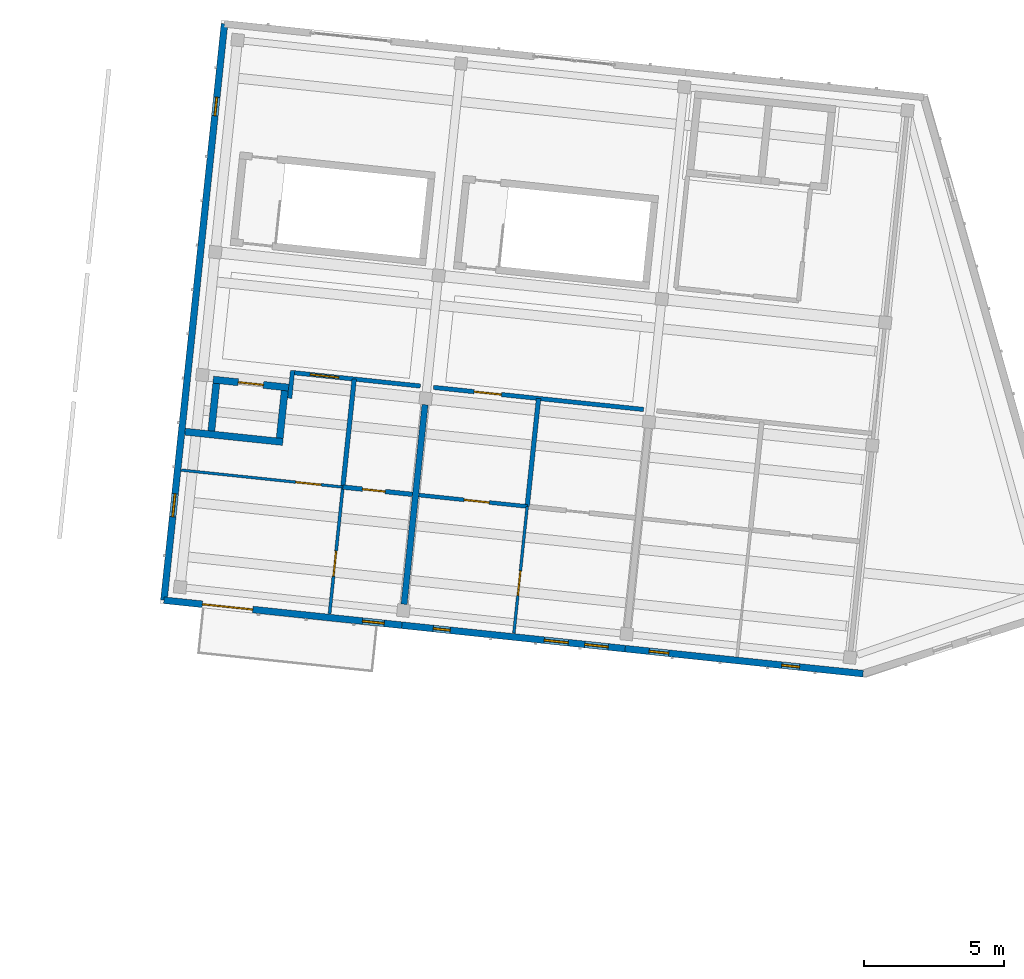
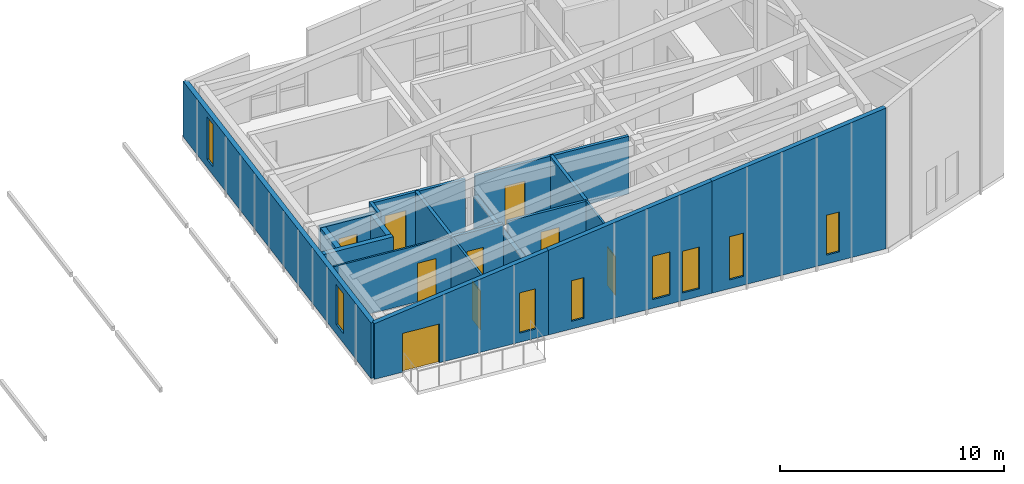
# One storey, part 17 of 31: 19 walls, 9 doors, 8 windows, 17 openings.
"""IFC4 building model written with IfcOpenShell, lengths in metres."""

from ifc_helpers import new_model, si_unit, direction, frame, frame_2d, origin, place, context, subcontext, project, spatial, polyline, rectangle, outline, extrude, material, layer, layer_set, type_object, element, fill, save


model = new_model("IFC4")

# Units and contexts
model_context = context("Model", 3, precision=1e-05, world=origin(), true_north=direction((0.0, 1.0)))
body_context = subcontext(model_context, "Body", "Model", "MODEL_VIEW")
ifc_project = project(units=[si_unit("LENGTHUNIT", "METRE"), si_unit("AREAUNIT", "SQUARE_METRE"), si_unit("VOLUMEUNIT", "CUBIC_METRE"), si_unit("PLANEANGLEUNIT", "RADIAN"), si_unit("MASSUNIT", "GRAM", prefix="KILO")], contexts=[model_context])

# Site, building, storey
site_placement = place(None, origin())
site = spatial("IfcSite", under=ifc_project, at=site_placement, CompositionType="ELEMENT")
building_placement = place(site_placement, origin())
building = spatial("IfcBuilding", under=site, at=building_placement, Name="Kestramere Prow Commons", CompositionType="ELEMENT")
storey_placement = place(building_placement, frame((0.0, 0.0, 37.64990234375)))
storey = spatial("IfcBuildingStorey", under=building, at=storey_placement, Name="L11", CompositionType="ELEMENT", Elevation=37.64990234375)

# Wall, openings, door, window
ifc_material_1 = material(Name="Fluoropolymer Standing-Seam Zinc-Aluminium Cladding", Category="aluminium")
ifc_layer_1 = layer(ifc_material_1, 0.239990234375)
ifc_layer_set_1 = layer_set([ifc_layer_1], Name="Fluoropolymer Standing-Seam Zinc-Aluminium Cladding")
wall_type_1 = type_object("IfcWallType", Name="EW-SEAM-240", PredefinedType="SOLIDWALL", material=ifc_layer_set_1)
wall_1_placement = place(storey_placement, frame((141.769775390625, 90.932861328125, 0.0), z_axis=(0.0, 0.0, 1.0), x_axis=(-0.994521760736, 0.104529744196, 0.0)))
wall_1 = element("IfcWall", 1, at=wall_1_placement, inside=storey, type_object=wall_type_1, Name="Block B L11 South Standing-Seam Wall 4", PredefinedType="SOLIDWALL", context=body_context, shape_type="SweptSolid", body=[
    extrude(outline(polyline([(0.0, 0.0), (8.52490234375, 0.0), (8.52490234375, 3.03759765625), (0.0, 4.619384765625), (0.0, 0.0)])), frame((0.0, 0.1201171875, 0.0), z_axis=(0.0, -1.0, 0.0), x_axis=(1.0, 0.0, 0.0)), (0.0, 0.0, 1.0), 0.239990234375),
])
opening_1_placement = place(wall_1_placement, frame((5.344970703125, 0.0, 0.0)))
opening_1 = element("IfcOpeningElement", 2, at=opening_1_placement, cuts=wall_1, Name="Opening GD-BAL-02", PredefinedType="OPENING", context=body_context, shape_type="SweptSolid", body=[
    extrude(rectangle(XDim=1.800048828125, YDim=2.1201171875, at=frame_2d((0.89990234375, 1.06005859375))), frame((0.0, 0.135009765625, 0.0), z_axis=(0.0, -1.0, 0.0), x_axis=(1.0, 0.0, 0.0)), (0.0, 0.0, 1.0), 0.27001953125),
])
opening_2_placement = place(wall_1_placement, frame((0.6298828125, 0.0, 0.5)))
opening_2 = element("IfcOpeningElement", 3, at=opening_2_placement, cuts=wall_1, Name="Opening WN-11", PredefinedType="OPENING", context=body_context, shape_type="SweptSolid", body=[
    extrude(rectangle(XDim=0.780029296875, YDim=2.199951171875, at=frame_2d((0.39013671875, 1.10009765625))), frame((0.0, 0.135009765625, 0.0), z_axis=(0.0, -1.0, 0.0), x_axis=(1.0, 0.0, 0.0)), (0.0, 0.0, 1.0), 0.27001953125),
])
ifc_material_2 = material(Name="Thermally-Broken Anodised Aluminium Glazed", Category="aluminium")
door_type_1 = type_object("IfcDoorType", Name="GD-BAL-1800", OperationType="SLIDING_TO_LEFT", PredefinedType="DOOR", material=ifc_material_2)
door_1_placement = place(opening_1_placement, origin())
door_1 = element("IfcDoor", 4, at=door_1_placement, inside=storey, type_object=door_type_1, Name="Block B L11 Balcony Door 4", OperationType="SLIDING_TO_LEFT", OverallHeight=2.1201171875, OverallWidth=1.800048828125, PredefinedType="DOOR", context=body_context, shape_type="SweptSolid", body=[
    extrude(rectangle(XDim=1.800048828125, YDim=2.1201171875, at=frame_2d((0.89990234375, 1.06005859375))), frame((0.0, 0.02490234375, 0.0), z_axis=(0.0, -1.0, 0.0), x_axis=(1.0, 0.0, 0.0)), (0.0, 0.0, 1.0), 0.050048828125),
])
fill(opening_1, door_1)
ifc_material_3 = material(Name="Low-E Laminated Double Glazing", Category="glass")
window_type_1 = type_object("IfcWindowType", Name="WN-NAR-780A", PartitioningType="SINGLE_PANEL", PredefinedType="WINDOW", material=ifc_material_3)
window_1_placement = place(opening_2_placement, origin())
window_1 = element("IfcWindow", 5, at=window_1_placement, inside=storey, type_object=window_type_1, Name="WN-B-L11-SR-3", OverallHeight=2.199951171875, OverallWidth=0.780029296875, PartitioningType="SINGLE_PANEL", PredefinedType="WINDOW", context=body_context, shape_type="SweptSolid", body=[
    extrude(rectangle(XDim=0.780029296875, YDim=2.199951171875, at=frame_2d((0.39013671875, 1.10009765625))), frame((0.0, 0.030029296875, 0.0), z_axis=(0.0, -1.0, 0.0), x_axis=(1.0, 0.0, 0.0)), (0.0, 0.0, 1.0), 0.06005859375),
])
fill(opening_2, window_1)

# Wall, openings, windows
wall_2_placement = place(storey_placement, frame((149.72607421875, 90.0966796875, 0.0), z_axis=(0.0, 0.0, 1.0), x_axis=(-0.994522662826, 0.104521161134, 0.0)))
wall_2 = element("IfcWall", 6, at=wall_2_placement, inside=storey, type_object=wall_type_1, Name="Block B L11 South Standing-Seam Wall 5", PredefinedType="SOLIDWALL", context=body_context, shape_type="SweptSolid", body=[
    extrude(outline(polyline([(0.0, 0.0), (8.0, 0.0), (8.0, 4.619384765625), (0.0, 6.10400390625), (0.0, 0.0)])), frame((0.0, 0.1201171875, 0.0), z_axis=(0.0, -1.0, 0.0), x_axis=(1.0, 0.0, 0.0)), (0.0, 0.0, 1.0), 0.239990234375),
])
opening_3_placement = place(wall_2_placement, frame((0.610107421875, 0.0, 0.419921875)))
opening_3 = element("IfcOpeningElement", 7, at=opening_3_placement, cuts=wall_2, Name="Opening WN-14", PredefinedType="OPENING", context=body_context, shape_type="SweptSolid", body=[
    extrude(rectangle(XDim=0.840087890625, YDim=2.280029296875, at=frame_2d((0.419921875, 1.14013671875))), frame((0.0, 0.135009765625, 0.0), z_axis=(0.0, -1.0, 0.0), x_axis=(1.0, 0.0, 0.0)), (0.0, 0.0, 1.0), 0.27001953125),
])
opening_4_placement = place(wall_2_placement, frame((2.0400390625, 0.0, 0.47998046875)))
opening_4 = element("IfcOpeningElement", 8, at=opening_4_placement, cuts=wall_2, Name="Opening WN-15", PredefinedType="OPENING", context=body_context, shape_type="SweptSolid", body=[
    extrude(rectangle(XDim=0.860107421875, YDim=2.360107421875, at=frame_2d((0.43017578125, 1.18017578125))), frame((0.0, 0.135009765625, 0.0), z_axis=(0.0, -1.0, 0.0), x_axis=(1.0, 0.0, 0.0)), (0.0, 0.0, 1.0), 0.27001953125),
])
opening_5_placement = place(wall_2_placement, frame((6.270751953125, 0.0, 0.419921875)))
opening_5 = element("IfcOpeningElement", 9, at=opening_5_placement, cuts=wall_2, Name="Opening WN-02", PredefinedType="OPENING", context=body_context, shape_type="SweptSolid", body=[
    extrude(rectangle(XDim=0.60009765625, YDim=2.219970703125, at=frame_2d((0.300048828125, 1.10986328125))), frame((0.0, 0.135009765625, 0.0), z_axis=(0.0, -1.0, 0.0), x_axis=(1.0, 0.0, 0.0)), (0.0, 0.0, 1.0), 0.27001953125),
])
window_type_2 = type_object("IfcWindowType", Name="WN-NAR-600A", PartitioningType="SINGLE_PANEL", PredefinedType="WINDOW", material=ifc_material_3)
window_2_placement = place(opening_5_placement, origin())
window_2 = element("IfcWindow", 10, at=window_2_placement, inside=storey, type_object=window_type_2, Name="WN-B-L11-S-4-10", OverallHeight=2.219970703125, OverallWidth=0.60009765625, PartitioningType="SINGLE_PANEL", PredefinedType="WINDOW", context=body_context, shape_type="SweptSolid", body=[
    extrude(rectangle(XDim=0.60009765625, YDim=2.219970703125, at=frame_2d((0.300048828125, 1.10986328125))), frame((0.0, 0.030029296875, 0.0), z_axis=(0.0, -1.0, 0.0), x_axis=(1.0, 0.0, 0.0)), (0.0, 0.0, 1.0), 0.06005859375),
])
fill(opening_5, window_2)
window_type_3 = type_object("IfcWindowType", Name="WN-NAR-840A", PartitioningType="DOUBLE_PANEL_VERTICAL", PredefinedType="WINDOW", material=ifc_material_3)
window_3_placement = place(opening_3_placement, origin())
window_3 = element("IfcWindow", 11, at=window_3_placement, inside=storey, type_object=window_type_3, Name="WN-B-L11-S-4-00", OverallHeight=2.280029296875, OverallWidth=0.840087890625, PartitioningType="SINGLE_PANEL", PredefinedType="WINDOW", context=body_context, shape_type="SweptSolid", body=[
    extrude(rectangle(XDim=0.840087890625, YDim=2.280029296875, at=frame_2d((0.419921875, 1.14013671875))), frame((0.0, 0.030029296875, 0.0), z_axis=(0.0, -1.0, 0.0), x_axis=(1.0, 0.0, 0.0)), (0.0, 0.0, 1.0), 0.06005859375),
])
fill(opening_3, window_3)
window_type_4 = type_object("IfcWindowType", Name="WN-NAR-860A", PartitioningType="DOUBLE_PANEL_VERTICAL", PredefinedType="WINDOW", material=ifc_material_3)
window_4_placement = place(opening_4_placement, origin())
window_4 = element("IfcWindow", 12, at=window_4_placement, inside=storey, type_object=window_type_4, Name="WN-B-L11-S-4-01", OverallHeight=2.360107421875, OverallWidth=0.860107421875, PartitioningType="SINGLE_PANEL", PredefinedType="WINDOW", context=body_context, shape_type="SweptSolid", body=[
    extrude(rectangle(XDim=0.860107421875, YDim=2.360107421875, at=frame_2d((0.43017578125, 1.18017578125))), frame((0.0, 0.030029296875, 0.0), z_axis=(0.0, -1.0, 0.0), x_axis=(1.0, 0.0, 0.0)), (0.0, 0.0, 1.0), 0.06005859375),
])
fill(opening_4, window_4)

wall_3_placement = place(storey_placement, frame((158.204345703125, 89.20556640625, 0.0), z_axis=(0.0, 0.0, 1.0), x_axis=(-0.994521760736, 0.104529744196, 0.0)))
wall_3 = element("IfcWall", 13, at=wall_3_placement, inside=storey, type_object=wall_type_1, Name="Block B L11 South Standing-Seam Wall 6", PredefinedType="SOLIDWALL", context=body_context, shape_type="SweptSolid", body=[
    extrude(outline(polyline([(0.0, 0.0), (8.52490234375, 0.0), (8.52490234375, 6.10400390625), (0.0, 7.685791015625), (0.0, 0.0)])), frame((0.0, 0.1201171875, 0.0), z_axis=(0.0, -1.0, 0.0), x_axis=(1.0, 0.0, 0.0)), (0.0, 0.0, 1.0), 0.239990234375),
])
opening_6_placement = place(wall_3_placement, frame((2.278564453125, 0.0, 0.47998046875)))
opening_6 = element("IfcOpeningElement", 14, at=opening_6_placement, cuts=wall_3, Name="Opening WN-04", PredefinedType="OPENING", context=body_context, shape_type="SweptSolid", body=[
    extrude(rectangle(XDim=0.639892578125, YDim=2.179931640625, at=frame_2d((0.31982421875, 1.08984375))), frame((0.0, 0.135009765625, 0.0), z_axis=(0.0, -1.0, 0.0), x_axis=(1.0, 0.0, 0.0)), (0.0, 0.0, 1.0), 0.27001953125),
])
opening_7_placement = place(wall_3_placement, frame((6.96728515625, 0.0, 0.47998046875)))
opening_7 = element("IfcOpeningElement", 15, at=opening_7_placement, cuts=wall_3, Name="Opening WN-07", PredefinedType="OPENING", context=body_context, shape_type="SweptSolid", body=[
    extrude(rectangle(XDim=0.699951171875, YDim=2.360107421875, at=frame_2d((0.35009765625, 1.18017578125))), frame((0.0, 0.135009765625, 0.0), z_axis=(0.0, -1.0, 0.0), x_axis=(1.0, 0.0, 0.0)), (0.0, 0.0, 1.0), 0.27001953125),
])
window_type_5 = type_object("IfcWindowType", Name="WN-NAR-640A", PartitioningType="SINGLE_PANEL", PredefinedType="WINDOW", material=ifc_material_3)
window_5_placement = place(opening_6_placement, origin())
window_5 = element("IfcWindow", 16, at=window_5_placement, inside=storey, type_object=window_type_5, Name="WN-B-L11-S-5-00", OverallHeight=2.179931640625, OverallWidth=0.639892578125, PartitioningType="SINGLE_PANEL", PredefinedType="WINDOW", context=body_context, shape_type="SweptSolid", body=[
    extrude(rectangle(XDim=0.639892578125, YDim=2.179931640625, at=frame_2d((0.31982421875, 1.08984375))), frame((0.0, 0.030029296875, 0.0), z_axis=(0.0, -1.0, 0.0), x_axis=(1.0, 0.0, 0.0)), (0.0, 0.0, 1.0), 0.06005859375),
])
fill(opening_6, window_5)
window_type_6 = type_object("IfcWindowType", Name="WN-NAR-700A", PartitioningType="SINGLE_PANEL", PredefinedType="WINDOW", material=ifc_material_3)
window_6_placement = place(opening_7_placement, origin())
window_6 = element("IfcWindow", 17, at=window_6_placement, inside=storey, type_object=window_type_6, Name="WN-B-L11-S-5-10", OverallHeight=2.360107421875, OverallWidth=0.699951171875, PartitioningType="SINGLE_PANEL", PredefinedType="WINDOW", context=body_context, shape_type="SweptSolid", body=[
    extrude(rectangle(XDim=0.699951171875, YDim=2.360107421875, at=frame_2d((0.35009765625, 1.18017578125))), frame((0.0, 0.030029296875, 0.0), z_axis=(0.0, -1.0, 0.0), x_axis=(1.0, 0.0, 0.0)), (0.0, 0.0, 1.0), 0.06005859375),
])
fill(opening_7, window_6)

wall_4_placement = place(storey_placement, frame((133.29150390625, 91.823974609375, 0.0), z_axis=(0.0, 0.0, 1.0), x_axis=(0.1045253859, 0.994522218808, 0.0)))
wall_4 = element("IfcWall", 18, at=wall_4_placement, inside=storey, type_object=wall_type_1, Name="Block B L11 EAV Facet Wall", PredefinedType="SOLIDWALL", context=body_context, shape_type="SweptSolid", body=[
    extrude(rectangle(XDim=20.64990234375, YDim=0.239990234375, at=frame_2d((10.324951171875, 0.0))), origin(), (0.0, 0.0, 1.0), 3.03759765625),
])
opening_8_placement = place(wall_4_placement, frame((2.989990234375, 0.0, 0.52001953125)))
opening_8 = element("IfcOpeningElement", 19, at=opening_8_placement, cuts=wall_4, Name="Opening WN-13", PredefinedType="OPENING", context=body_context, shape_type="SweptSolid", body=[
    extrude(rectangle(XDim=0.820068359375, YDim=2.179931640625, at=frame_2d((0.41015625, 1.08984375))), frame((0.0, 0.135009765625, 0.0), z_axis=(0.0, -1.0, 0.0), x_axis=(1.0, 0.0, 0.0)), (0.0, 0.0, 1.0), 0.27001953125),
])
opening_9_placement = place(wall_4_placement, frame((17.360107421875, 0.0, 0.449951171875)))
opening_9 = element("IfcOpeningElement", 20, at=opening_9_placement, cuts=wall_4, Name="Opening WN-05", PredefinedType="OPENING", context=body_context, shape_type="SweptSolid", body=[
    extrude(rectangle(XDim=0.659912109375, YDim=2.320068359375, at=frame_2d((0.330078125, 1.16015625))), frame((0.0, 0.135009765625, 0.0), z_axis=(0.0, -1.0, 0.0), x_axis=(1.0, 0.0, 0.0)), (0.0, 0.0, 1.0), 0.27001953125),
])
window_type_7 = type_object("IfcWindowType", Name="WN-NAR-660A", PartitioningType="SINGLE_PANEL", PredefinedType="WINDOW", material=ifc_material_3)
window_7_placement = place(opening_9_placement, origin())
window_7 = element("IfcWindow", 21, at=window_7_placement, inside=storey, type_object=window_type_7, Name="WN-B-L11-EAV-1", OverallHeight=2.320068359375, OverallWidth=0.659912109375, PartitioningType="SINGLE_PANEL", PredefinedType="WINDOW", context=body_context, shape_type="SweptSolid", body=[
    extrude(rectangle(XDim=0.659912109375, YDim=2.320068359375, at=frame_2d((0.330078125, 1.16015625))), frame((0.0, 0.030029296875, 0.0), z_axis=(0.0, -1.0, 0.0), x_axis=(1.0, 0.0, 0.0)), (0.0, 0.0, 1.0), 0.06005859375),
])
fill(opening_9, window_7)
window_type_8 = type_object("IfcWindowType", Name="WN-NAR-820A", PartitioningType="DOUBLE_PANEL_VERTICAL", PredefinedType="WINDOW", material=ifc_material_3)
window_8_placement = place(opening_8_placement, origin())
window_8 = element("IfcWindow", 22, at=window_8_placement, inside=storey, type_object=window_type_8, Name="WN-B-L11-EAV-0", OverallHeight=2.179931640625, OverallWidth=0.820068359375, PartitioningType="SINGLE_PANEL", PredefinedType="WINDOW", context=body_context, shape_type="SweptSolid", body=[
    extrude(rectangle(XDim=0.820068359375, YDim=2.179931640625, at=frame_2d((0.41015625, 1.08984375))), frame((0.0, 0.030029296875, 0.0), z_axis=(0.0, -1.0, 0.0), x_axis=(1.0, 0.0, 0.0)), (0.0, 0.0, 1.0), 0.06005859375),
])
fill(opening_8, window_8)

# Wall
ifc_material_4 = material(Name="Fire-Rated Calcium Silicate Wall")
ifc_layer_2 = layer(ifc_material_4, 0.155029296875)
ifc_layer_set_2 = layer_set([ifc_layer_2], Name="Fire-Rated Calcium Silicate Wall")
wall_type_2 = type_object("IfcWallType", Name="W-FIRE-150", PredefinedType="PARTITIONING", material=ifc_layer_set_2)
wall_5_placement = place(storey_placement, frame((137.773193359375, 99.02001953125, 0.0), z_axis=(0.0, 0.0, 1.0), x_axis=(0.104531505358, 0.994521575627, 0.0)))
element("IfcWall", 23, at=wall_5_placement, inside=storey, type_object=wall_type_2, Name="Interior Partition PW-B-L11-HS-CLOSER", PredefinedType="PARTITIONING", context=body_context, shape_type="SweptSolid", body=[
    extrude(rectangle(XDim=0.994873046875, YDim=0.155029296875, at=frame_2d((0.49755859375, 0.0))), origin(), (0.0, 0.0, 1.0), 3.080078125),
])

# Wall, opening, door
wall_6_placement = place(storey_placement, frame((137.948974609375, 99.926513671875, 0.0), z_axis=(0.0, 0.0, 1.0), x_axis=(0.994526220308, -0.104487306019, 0.0)))
wall_6 = element("IfcWall", 24, at=wall_6_placement, inside=storey, type_object=wall_type_2, Name="Interior Partition PW-B-L11-CS-3", PredefinedType="PARTITIONING", context=body_context, shape_type="SweptSolid", body=[
    extrude(rectangle(XDim=4.5048828125, YDim=0.155029296875, at=frame_2d((2.25244140625, 0.0))), origin(), (0.0, 0.0, 1.0), 3.080078125),
])
opening_10_placement = place(wall_6_placement, frame((0.556884765625, 0.0, 0.0)))
opening_10 = element("IfcOpeningElement", 25, at=opening_10_placement, cuts=wall_6, Name="Opening ID-05", PredefinedType="OPENING", context=body_context, shape_type="SweptSolid", body=[
    extrude(rectangle(XDim=1.02001953125, YDim=2.199951171875, at=frame_2d((0.510009765625, 1.10009765625))), frame((0.0, 0.092529296875, 0.0), z_axis=(0.0, -1.0, 0.0), x_axis=(1.0, 0.0, 0.0)), (0.0, 0.0, 1.0), 0.18505859375),
])
ifc_material_5 = material(Name="Hardwood Fire-Rated Flat Entrance Door", Category="wood")
door_type_2 = type_object("IfcDoorType", Name="FD-ENT-02", OperationType="NOTDEFINED", PredefinedType="DOOR", material=ifc_material_5)
door_2_placement = place(opening_10_placement, origin())
door_2 = element("IfcDoor", 26, at=door_2_placement, inside=storey, type_object=door_type_2, Name="Interior Door DR-B-L11-ENT-S3", OperationType="SINGLE_SWING_LEFT", OverallHeight=2.199951171875, OverallWidth=1.02001953125, PredefinedType="DOOR", context=body_context, shape_type="SweptSolid", body=[
    extrude(rectangle(XDim=1.02001953125, YDim=2.199951171875, at=frame_2d((0.510009765625, 1.10009765625))), frame((0.0, 0.02490234375, 0.0), z_axis=(0.0, -1.0, 0.0), x_axis=(1.0, 0.0, 0.0)), (0.0, 0.0, 1.0), 0.050048828125),
])
fill(opening_10, door_2)

wall_7_placement = place(storey_placement, frame((142.896728515625, 99.406494140625, 0.0), z_axis=(0.0, 0.0, 1.0), x_axis=(0.994521785195, -0.104529511491, 0.0)))
wall_7 = element("IfcWall", 27, at=wall_7_placement, inside=storey, type_object=wall_type_2, Name="Interior Partition PW-B-L11-CS-4", PredefinedType="PARTITIONING", context=body_context, shape_type="SweptSolid", body=[
    extrude(rectangle(XDim=7.530029296875, YDim=0.155029296875, at=frame_2d((3.76513671875, 0.0))), origin(), (0.0, 0.0, 1.0), 3.150146484375),
])
opening_11_placement = place(wall_7_placement, frame((1.455078125, 0.0, 0.0)))
opening_11 = element("IfcOpeningElement", 28, at=opening_11_placement, cuts=wall_7, Name="Opening ID-04", PredefinedType="OPENING", context=body_context, shape_type="SweptSolid", body=[
    extrude(rectangle(XDim=0.97998046875, YDim=2.14990234375, at=frame_2d((0.489990234375, 1.074951171875))), frame((0.0, 0.092529296875, 0.0), z_axis=(0.0, -1.0, 0.0), x_axis=(1.0, 0.0, 0.0)), (0.0, 0.0, 1.0), 0.18505859375),
])
door_type_3 = type_object("IfcDoorType", Name="FD-ENT-01", OperationType="NOTDEFINED", PredefinedType="DOOR", material=ifc_material_5)
door_3_placement = place(opening_11_placement, origin())
door_3 = element("IfcDoor", 29, at=door_3_placement, inside=storey, type_object=door_type_3, Name="Interior Door DR-B-L11-ENT-S4", OperationType="SINGLE_SWING_RIGHT", OverallHeight=2.14990234375, OverallWidth=0.97998046875, PredefinedType="DOOR", context=body_context, shape_type="SweptSolid", body=[
    extrude(rectangle(XDim=0.97998046875, YDim=2.14990234375, at=frame_2d((0.489990234375, 1.074951171875))), frame((0.0, 0.02490234375, 0.0), z_axis=(0.0, -1.0, 0.0), x_axis=(1.0, 0.0, 0.0)), (0.0, 0.0, 1.0), 0.050048828125),
])
fill(opening_11, door_3)

# Wall
ifc_material_6 = material(Name="Concrete C40/50", Category="concrete")
ifc_layer_3 = layer(ifc_material_6, 0.25)
ifc_layer_set_3 = layer_set([ifc_layer_3], Name="Concrete C40/50")
wall_type_3 = type_object("IfcWallType", Name="W-HS-250", PredefinedType="SHEAR", material=ifc_layer_set_3)
wall_8_placement = place(storey_placement, frame((134.04833984375, 97.827880859375, 0.0), z_axis=(0.0, 0.0, 1.0), x_axis=(0.994518059202, -0.104564955513, 0.0)))
element("IfcWall", 30, at=wall_8_placement, inside=storey, type_object=wall_type_3, Name="Block B L11 Household Shelter South Wall", PredefinedType="SHEAR", context=body_context, shape_type="SweptSolid", body=[
    extrude(rectangle(XDim=3.5, YDim=0.25, at=frame_2d((1.75, 0.0))), origin(), (0.0, 0.0, 1.0), 2.890625),
])

# Wall, opening, door
wall_9_placement = place(storey_placement, frame((135.047607421875, 99.68359375, 0.0), z_axis=(0.0, 0.0, 1.0), x_axis=(0.994522285292, -0.104524753323, 0.0)))
wall_9 = element("IfcWall", 31, at=wall_9_placement, inside=storey, type_object=wall_type_3, Name="Block B L11 Household Shelter North Wall", PredefinedType="SHEAR", context=body_context, shape_type="SweptSolid", body=[
    extrude(rectangle(XDim=2.7001953125, YDim=0.25, at=frame_2d((1.35009765625, 0.0))), origin(), (0.0, 0.0, 1.0), 2.890625),
])
opening_12_placement = place(wall_9_placement, frame((0.89990234375, 0.0, 0.0)))
opening_12 = element("IfcOpeningElement", 32, at=opening_12_placement, cuts=wall_9, Name="Opening ID-06", PredefinedType="OPENING", context=body_context, shape_type="SweptSolid", body=[
    extrude(rectangle(XDim=0.89990234375, YDim=2.050048828125, at=frame_2d((0.449951171875, 1.02490234375))), frame((0.0, 0.139892578125, 0.0), z_axis=(0.0, -1.0, 0.0), x_axis=(1.0, 0.0, 0.0)), (0.0, 0.0, 1.0), 0.280029296875),
])
ifc_material_7 = material(Name="Galvanised Steel S275JR Household Shelter Door", Category="steel")
door_type_4 = type_object("IfcDoorType", Name="FD-HS-01", OperationType="NOTDEFINED", PredefinedType="DOOR", material=ifc_material_7)
door_4_placement = place(opening_12_placement, origin())
door_4 = element("IfcDoor", 33, at=door_4_placement, inside=storey, type_object=door_type_4, Name="Block B L11 Household Shelter Blast Door", OperationType="SINGLE_SWING_LEFT", OverallHeight=2.050048828125, OverallWidth=0.89990234375, PredefinedType="DOOR", context=body_context, shape_type="SweptSolid", body=[
    extrude(rectangle(XDim=0.89990234375, YDim=2.050048828125, at=frame_2d((0.449951171875, 1.02490234375))), frame((0.0, 0.02490234375, 0.0), z_axis=(0.0, -1.0, 0.0), x_axis=(1.0, 0.0, 0.0)), (0.0, 0.0, 1.0), 0.050048828125),
])
fill(opening_12, door_4)

# Walls
for number, where, z_axis, x_axis, name in (
    (34, (134.981201171875, 97.85546875, 0.0), (0.0, 0.0, 1.0), (0.104550220202, 0.994519608382, 0.0), "Block B L11 Household Shelter W Wall"),
    (35, (137.417724609375, 97.599365234375, 0.0), (0.0, 0.0, 1.0), (0.104550220202, 0.994519608382, 0.0), "Block B L11 Household Shelter E Wall"),
):
    element("IfcWall", number, at=place(storey_placement, frame(where, z_axis=z_axis, x_axis=x_axis)), inside=storey, type_object=wall_type_3, Name=name, PredefinedType="SHEAR", context=body_context, shape_type="SweptSolid", body=[
        extrude(rectangle(XDim=1.699951171875, YDim=0.25, at=frame_2d((0.85009765625, 0.0))), origin(), (0.0, 0.0, 1.0), 2.890625),
    ])

# Wall, opening, door
ifc_material_8 = material(Name="Gypsum Acoustic Drywall")
ifc_layer_4 = layer(ifc_material_8, 0.10009765625)
ifc_layer_set_4 = layer_set([ifc_layer_4], Name="Gypsum Acoustic Drywall")
wall_type_4 = type_object("IfcWallType", Name="W-PART-100", PredefinedType="PARTITIONING", material=ifc_layer_set_4)
wall_10_placement = place(storey_placement, frame((145.761962890625, 90.649169921875, 0.0), z_axis=(0.0, 0.0, 1.0), x_axis=(0.104539221709, 0.994520764552, 0.0)))
wall_10 = element("IfcWall", 36, at=wall_10_placement, inside=storey, type_object=wall_type_4, Name="Interior Partition PW-B-L11-LB-S4", PredefinedType="PARTITIONING", context=body_context, shape_type="SweptSolid", body=[
    extrude(rectangle(XDim=4.5400390625, YDim=0.10009765625, at=frame_2d((2.27001953125, 0.0))), origin(), (0.0, 0.0, 1.0), 3.150146484375),
])
opening_13_placement = place(wall_10_placement, frame((1.35009765625, 0.0, 0.0)))
opening_13 = element("IfcOpeningElement", 37, at=opening_13_placement, cuts=wall_10, Name="Opening ID-10", PredefinedType="OPENING", context=body_context, shape_type="SweptSolid", body=[
    extrude(rectangle(XDim=0.8798828125, YDim=2.10009765625, at=frame_2d((0.43994140625, 1.050048828125))), frame((0.0, 0.06494140625, 0.0), z_axis=(0.0, -1.0, 0.0), x_axis=(1.0, 0.0, 0.0)), (0.0, 0.0, 1.0), 0.130126953125),
])
ifc_material_9 = material(Name="Engineered Timber Bedroom Door", Category="wood")
door_type_5 = type_object("IfcDoorType", Name="D-RM-03", OperationType="NOTDEFINED", PredefinedType="DOOR", material=ifc_material_9)
door_5_placement = place(opening_13_placement, origin())
door_5 = element("IfcDoor", 38, at=door_5_placement, inside=storey, type_object=door_type_5, Name="Interior Door DR-B-L11-BED-S4", OperationType="SINGLE_SWING_LEFT", OverallHeight=2.10009765625, OverallWidth=0.8798828125, PredefinedType="DOOR", context=body_context, shape_type="SweptSolid", body=[
    extrude(rectangle(XDim=0.8798828125, YDim=2.10009765625, at=frame_2d((0.43994140625, 1.050048828125))), frame((0.0, 0.02490234375, 0.0), z_axis=(0.0, -1.0, 0.0), x_axis=(1.0, 0.0, 0.0)), (0.0, 0.0, 1.0), 0.050048828125),
])
fill(opening_13, door_5)

ifc_layer_5 = layer(ifc_material_8, 0.110107421875)
ifc_layer_set_5 = layer_set([ifc_layer_5], Name="Gypsum Acoustic Drywall")
wall_type_5 = type_object("IfcWallType", Name="W-PART-110", PredefinedType="PARTITIONING", material=ifc_layer_set_5)
wall_11_placement = place(storey_placement, frame((139.193115234375, 91.339599609375, 0.0), z_axis=(0.0, 0.0, 1.0), x_axis=(0.104539221709, 0.994520764552, 0.0)))
wall_11 = element("IfcWall", 39, at=wall_11_placement, inside=storey, type_object=wall_type_5, Name="Interior Partition PW-B-L11-LB-S3", PredefinedType="PARTITIONING", context=body_context, shape_type="SweptSolid", body=[
    extrude(rectangle(XDim=4.5400390625, YDim=0.110107421875, at=frame_2d((2.27001953125, 0.0))), origin(), (0.0, 0.0, 1.0), 3.080078125),
])
opening_14_placement = place(wall_11_placement, frame((1.35009765625, 0.0, 0.0)))
opening_14 = element("IfcOpeningElement", 40, at=opening_14_placement, cuts=wall_11, Name="Opening ID-08", PredefinedType="OPENING", context=body_context, shape_type="SweptSolid", body=[
    extrude(rectangle(XDim=0.89990234375, YDim=2.10009765625, at=frame_2d((0.449951171875, 1.050048828125))), frame((0.0, 0.070068359375, 0.0), z_axis=(0.0, -1.0, 0.0), x_axis=(1.0, 0.0, 0.0)), (0.0, 0.0, 1.0), 0.14013671875),
])
ifc_material_10 = material(Name="Engineered Timber Flush Door", Category="wood")
door_type_6 = type_object("IfcDoorType", Name="D-RM-01", OperationType="NOTDEFINED", PredefinedType="DOOR", material=ifc_material_10)
door_6_placement = place(opening_14_placement, origin())
door_6 = element("IfcDoor", 41, at=door_6_placement, inside=storey, type_object=door_type_6, Name="Interior Door DR-B-L11-BED-S3", OperationType="SINGLE_SWING_RIGHT", OverallHeight=2.10009765625, OverallWidth=0.89990234375, PredefinedType="DOOR", context=body_context, shape_type="SweptSolid", body=[
    extrude(rectangle(XDim=0.89990234375, YDim=2.10009765625, at=frame_2d((0.449951171875, 1.050048828125))), frame((0.0, 0.02490234375, 0.0), z_axis=(0.0, -1.0, 0.0), x_axis=(1.0, 0.0, 0.0)), (0.0, 0.0, 1.0), 0.050048828125),
])
fill(opening_14, door_6)

ifc_material_11 = material(Name="Masonry Compartment Wall", Category="masonry")
ifc_layer_6 = layer(ifc_material_11, 0.139892578125)
ifc_layer_set_6 = layer_set([ifc_layer_6], Name="Masonry Compartment Wall")
wall_type_6 = type_object("IfcWallType", Name="W-PART-140", PredefinedType="PARTITIONING", material=ifc_layer_set_6)
wall_12_placement = place(storey_placement, frame((142.372802734375, 95.5703125, 0.0), z_axis=(0.0, 0.0, 1.0), x_axis=(0.994524375082, -0.104504867671, 0.0)))
wall_12 = element("IfcWall", 42, at=wall_12_placement, inside=storey, type_object=wall_type_6, Name="Interior Partition PW-B-L11-MIDS1-4", PredefinedType="PARTITIONING", context=body_context, shape_type="SweptSolid", body=[
    extrude(rectangle(XDim=3.885009765625, YDim=0.139892578125, at=frame_2d((1.9423828125, 0.0))), origin(), (0.0, 0.0, 1.0), 3.150146484375),
])
opening_15_placement = place(wall_12_placement, frame((1.625, 0.0, 0.0)))
opening_15 = element("IfcOpeningElement", 43, at=opening_15_placement, cuts=wall_12, Name="Opening ID-08", PredefinedType="OPENING", context=body_context, shape_type="SweptSolid", body=[
    extrude(rectangle(XDim=0.89990234375, YDim=2.10009765625, at=frame_2d((0.449951171875, 1.050048828125))), frame((0.0, 0.0849609375, 0.0), z_axis=(0.0, -1.0, 0.0), x_axis=(1.0, 0.0, 0.0)), (0.0, 0.0, 1.0), 0.169921875),
])
door_7_placement = place(opening_15_placement, origin())
door_7 = element("IfcDoor", 44, at=door_7_placement, inside=storey, type_object=door_type_6, Name="Interior Door DR-B-L11-KL-S4", OperationType="SINGLE_SWING_RIGHT", OverallHeight=2.10009765625, OverallWidth=0.89990234375, PredefinedType="DOOR", context=body_context, shape_type="SweptSolid", body=[
    extrude(rectangle(XDim=0.89990234375, YDim=2.10009765625, at=frame_2d((0.449951171875, 1.050048828125))), frame((0.0, 0.02490234375, 0.0), z_axis=(0.0, -1.0, 0.0), x_axis=(1.0, 0.0, 0.0)), (0.0, 0.0, 1.0), 0.050048828125),
])
fill(opening_15, door_7)

ifc_layer_7 = layer(ifc_material_8, 0.094970703125)
ifc_layer_set_7 = layer_set([ifc_layer_7], Name="Gypsum Acoustic Drywall")
wall_type_7 = type_object("IfcWallType", Name="W-PART-95", PredefinedType="PARTITIONING", material=ifc_layer_set_7)
wall_13_placement = place(storey_placement, frame((133.909423828125, 96.4599609375, 0.0), z_axis=(0.0, 0.0, 1.0), x_axis=(0.994521844929, -0.104528943169, 0.0)))
wall_13 = element("IfcWall", 45, at=wall_13_placement, inside=storey, type_object=wall_type_7, Name="Interior Partition PW-B-L11-MIDS1-3", PredefinedType="PARTITIONING", context=body_context, shape_type="SweptSolid", body=[
    extrude(rectangle(XDim=5.7900390625, YDim=0.094970703125, at=frame_2d((2.89501953125, 0.0))), origin(), (0.0, 0.0, 1.0), 3.080078125),
])
opening_16_placement = place(wall_13_placement, frame((4.10498046875, 0.0, 0.0)))
opening_16 = element("IfcOpeningElement", 46, at=opening_16_placement, cuts=wall_13, Name="Opening ID-08", PredefinedType="OPENING", context=body_context, shape_type="SweptSolid", body=[
    extrude(rectangle(XDim=0.89990234375, YDim=2.10009765625, at=frame_2d((0.449951171875, 1.050048828125))), frame((0.0, 0.0625, 0.0), z_axis=(0.0, -1.0, 0.0), x_axis=(1.0, 0.0, 0.0)), (0.0, 0.0, 1.0), 0.125),
])
door_8_placement = place(opening_16_placement, origin())
door_8 = element("IfcDoor", 47, at=door_8_placement, inside=storey, type_object=door_type_6, Name="Interior Door DR-B-L11-KL-S3", OperationType="SINGLE_SWING_RIGHT", OverallHeight=2.10009765625, OverallWidth=0.89990234375, PredefinedType="DOOR", context=body_context, shape_type="SweptSolid", body=[
    extrude(rectangle(XDim=0.89990234375, YDim=2.10009765625, at=frame_2d((0.449951171875, 1.050048828125))), frame((0.0, 0.02490234375, 0.0), z_axis=(0.0, -1.0, 0.0), x_axis=(1.0, 0.0, 0.0)), (0.0, 0.0, 1.0), 0.050048828125),
])
fill(opening_16, door_8)

ifc_material_12 = material(Name="Waterproof Sanitary Masonry Wall", Category="masonry")
ifc_layer_8 = layer(ifc_material_12, 0.1650390625)
ifc_layer_set_8 = layer_set([ifc_layer_8], Name="Waterproof Sanitary Masonry Wall")
wall_type_8 = type_object("IfcWallType", Name="W-PLUMB-150", PredefinedType="PLUMBINGWALL", material=ifc_layer_set_8)
wall_14_placement = place(storey_placement, frame((139.667724609375, 95.854736328125, 0.0), z_axis=(0.0, 0.0, 1.0), x_axis=(0.994522631864, -0.10452145574, 0.0)))
wall_14 = element("IfcWall", 48, at=wall_14_placement, inside=storey, type_object=wall_type_8, Name="Interior Partition PW-B-L11-MIDS2-3", PredefinedType="PLUMBINGWALL", context=body_context, shape_type="SweptSolid", body=[
    extrude(rectangle(XDim=2.489990234375, YDim=0.1650390625, at=frame_2d((1.2451171875, 0.0))), origin(), (0.0, 0.0, 1.0), 3.080078125),
])
opening_17_placement = place(wall_14_placement, frame((0.702880859375, 0.0, 0.0)))
opening_17 = element("IfcOpeningElement", 49, at=opening_17_placement, cuts=wall_14, Name="Opening ID-11", PredefinedType="OPENING", context=body_context, shape_type="SweptSolid", body=[
    extrude(rectangle(XDim=0.820068359375, YDim=2.080078125, at=frame_2d((0.41015625, 1.0400390625))), frame((0.0, 0.097412109375, 0.0), z_axis=(0.0, -1.0, 0.0), x_axis=(1.0, 0.0, 0.0)), (0.0, 0.0, 1.0), 0.195068359375),
])
ifc_material_13 = material(Name="Moisture-Resistant Timber Bathroom Door", Category="wood")
door_type_7 = type_object("IfcDoorType", Name="D-BT-01", OperationType="NOTDEFINED", PredefinedType="DOOR", material=ifc_material_13)
door_9_placement = place(opening_17_placement, origin())
door_9 = element("IfcDoor", 50, at=door_9_placement, inside=storey, type_object=door_type_7, Name="Interior Door DR-B-L11-BTH-S3", OperationType="SINGLE_SWING_LEFT", OverallHeight=2.080078125, OverallWidth=0.820068359375, PredefinedType="DOOR", context=body_context, shape_type="SweptSolid", body=[
    extrude(rectangle(XDim=0.820068359375, YDim=2.080078125, at=frame_2d((0.41015625, 1.0400390625))), frame((0.0, 0.02490234375, 0.0), z_axis=(0.0, -1.0, 0.0), x_axis=(1.0, 0.0, 0.0)), (0.0, 0.0, 1.0), 0.050048828125),
])
fill(opening_17, door_9)

# Walls
wall_15_placement = place(storey_placement, frame((139.667724609375, 95.854736328125, 0.0), z_axis=(0.0, 0.0, 1.0), x_axis=(0.10453700162, 0.994520997914, 0.0)))
element("IfcWall", 51, at=wall_15_placement, inside=storey, type_object=wall_type_8, Name="Interior Partition PW-B-L11-KB-S3", PredefinedType="PLUMBINGWALL", context=body_context, shape_type="SweptSolid", body=[
    extrude(rectangle(XDim=3.869873046875, YDim=0.1650390625, at=frame_2d((1.93505859375, 0.0))), origin(), (0.0, 0.0, 1.0), 3.080078125),
])
wall_16_placement = place(storey_placement, frame((146.236572265625, 95.164306640625, 0.0), z_axis=(0.0, 0.0, 1.0), x_axis=(0.10453700162, 0.994520997914, 0.0)))
element("IfcWall", 52, at=wall_16_placement, inside=storey, type_object=wall_type_8, Name="Interior Partition PW-B-L11-KB-S4", PredefinedType="PLUMBINGWALL", context=body_context, shape_type="SweptSolid", body=[
    extrude(rectangle(XDim=3.869873046875, YDim=0.1650390625, at=frame_2d((1.93505859375, 0.0))), origin(), (0.0, 0.0, 1.0), 3.150146484375),
])
ifc_material_14 = material(Name="Precast concrete C40/50", Category="concrete")
ifc_layer_9 = layer(ifc_material_14, 0.219970703125)
ifc_layer_set_9 = layer_set([ifc_layer_9], Name="Precast concrete C40/50")
wall_type_9 = type_object("IfcWallType", Name="W-XWALL-220", PredefinedType="SHEAR", material=ifc_layer_set_9)
wall_17_placement = place(storey_placement, frame((141.84814453125, 91.678955078125, 0.0), z_axis=(0.0, 0.0, 1.0), x_axis=(0.104553253602, 0.994519289487, 0.0)))
element("IfcWall", 53, at=wall_17_placement, inside=storey, type_object=wall_type_9, Name="Block B L11 Precast Cross-Wall 4", PredefinedType="SHEAR", context=body_context, shape_type="SweptSolid", body=[
    extrude(rectangle(XDim=7.150146484375, YDim=0.219970703125, at=frame_2d((3.5751953125, 0.0))), origin(), (0.0, 0.0, 1.0), 2.5),
])

save(model, "model.ifc")
